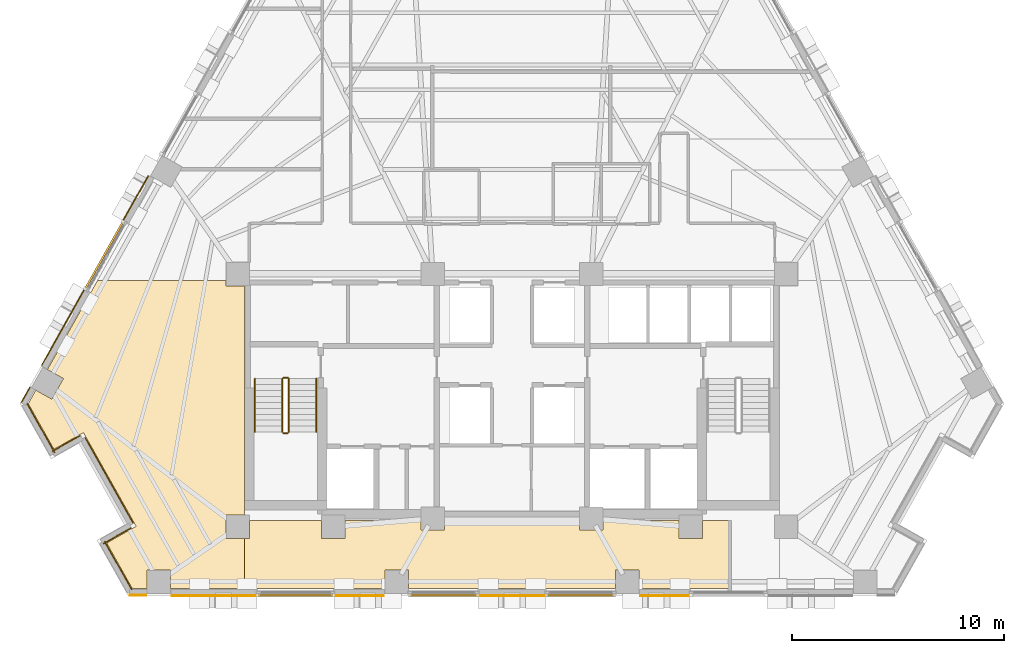
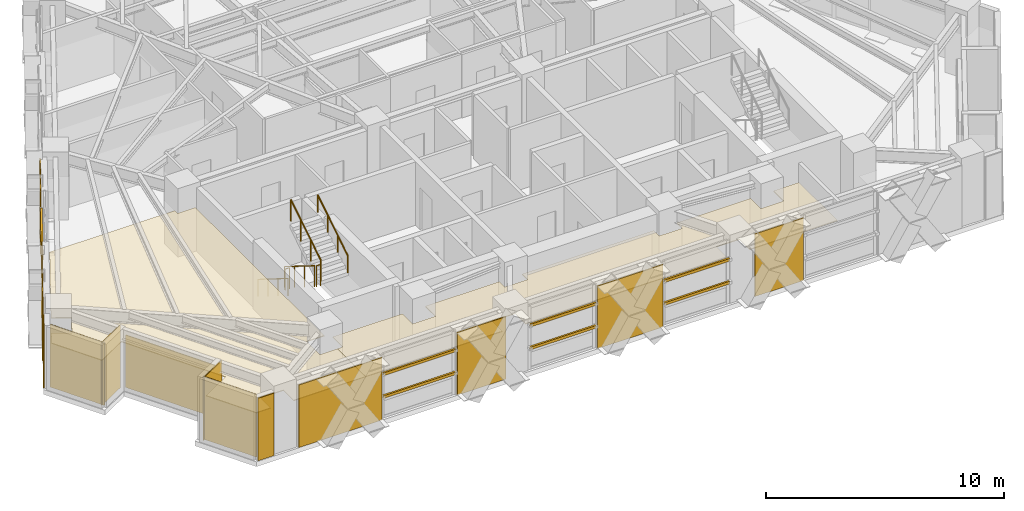
# One storey, part 11 of 14: 15 coverings, 8 shading devices, 6 railings.
"""IFC4 building model written with IfcOpenShell, lengths in metres."""

from ifc_helpers import new_model, si_unit, direction, frame, origin, origin_2d, place, context, subcontext, project, spatial, polyline, rectangle, circle, outline, extrude, material, layer, layer_set, material_profile, profile_set, type_object, element, save


model = new_model("IFC4")

# Units and contexts
model_context = context("Model", 3, precision=1e-05, world=origin(), true_north=direction((0.0, 1.0)))
body_context = subcontext(model_context, "Body", "Model", "MODEL_VIEW")
ifc_project = project(units=[si_unit("LENGTHUNIT", "METRE"), si_unit("AREAUNIT", "SQUARE_METRE"), si_unit("VOLUMEUNIT", "CUBIC_METRE"), si_unit("PLANEANGLEUNIT", "RADIAN"), si_unit("MASSUNIT", "GRAM", prefix="KILO")], contexts=[model_context])

# Site, building, storey
site_placement = place(None, origin())
site = spatial("IfcSite", under=ifc_project, at=site_placement, CompositionType="ELEMENT")
building_placement = place(site_placement, origin())
building = spatial("IfcBuilding", under=site, at=building_placement, Name="Quenlor Broadcast Tower", CompositionType="ELEMENT")
storey_placement = place(building_placement, frame((0.0, 0.0, 123.0)))
storey = spatial("IfcBuildingStorey", under=building, at=storey_placement, Name="L33", CompositionType="ELEMENT", Elevation=123.0)

# Coverings
ifc_material_1 = material(Name="Acoustic Gypsum Board", Category="other")
ifc_layer_1 = layer(ifc_material_1, 0.0400390625)
ifc_layer_set_1 = layer_set([ifc_layer_1], Name="Broadcast Studio Spring Isolated Ceiling 40")
covering_type_1 = type_object("IfcCoveringType", Name="Broadcast Studio Spring Isolated Ceiling 40", PredefinedType="CEILING", material=ifc_layer_set_1)
covering_1_placement = place(storey_placement, frame((0.0, 0.0, 2.2099609375)))
element("IfcCovering", 1, at=covering_1_placement, inside=storey, type_object=covering_type_1, Name="L33 Acoustic Ceiling L33-36-2", PredefinedType="CEILING", context=body_context, shape_type="SweptSolid", body=[
    extrude(outline(polyline([(-22.49853515625, -10.290771484375), (-21.741943359375, -10.71630859375), (-21.19482421875, -9.74365234375), (-21.951416015625, -9.318115234375), (-19.58984375, -5.1201171875), (-13.508056640625, -5.1201171875), (-13.508056640625, -5.35791015625), (-12.64990234375, -5.35791015625), (-12.64990234375, -16.19189453125), (-13.508056640625, -16.19189453125), (-13.508056640625, -17.30810546875), (-12.64990234375, -17.30810546875), (-12.64990234375, -19.659912109375), (-16.134521484375, -19.659912109375), (-16.134521484375, -18.7919921875), (-17.25048828125, -18.7919921875), (-17.25048828125, -19.659912109375), (-17.9453125, -19.659912109375), (-19.15380859375, -17.510986328125), (-17.759521484375, -16.7265625), (-20.25, -12.299072265625), (-21.64453125, -13.08349609375), (-22.85693359375, -10.927978515625), (-22.49853515625, -10.290771484375)])), origin(), (0.0, 0.0, 1.0), 0.0400390625),
])
covering_2_placement = place(storey_placement, frame((0.0, 0.0, 2.2099609375)))
element("IfcCovering", 2, at=covering_2_placement, inside=storey, type_object=covering_type_1, Name="L33 Acoustic Ceiling L33-36-3", PredefinedType="CEILING", context=body_context, shape_type="SweptSolid", body=[
    extrude(outline(polyline([(-12.39208984375, -17.30810546875), (-12.39208984375, -16.449951171875), (-9.008056640625, -16.449951171875), (-9.008056640625, -17.30810546875), (-7.89208984375, -17.30810546875), (-7.89208984375, -16.449951171875), (-4.30810546875, -16.449951171875), (-4.30810546875, -16.907958984375), (-3.19189453125, -16.907958984375), (-3.19189453125, -16.449951171875), (3.19189453125, -16.449951171875), (3.19189453125, -16.907958984375), (4.30810546875, -16.907958984375), (4.30810546875, -16.449951171875), (7.89208984375, -16.449951171875), (7.89208984375, -17.30810546875), (9.008056640625, -17.30810546875), (9.008056640625, -16.449951171875), (10.2548828125, -16.449951171875), (10.2548828125, -19.659912109375), (6.001220703125, -19.659912109375), (6.001220703125, -18.7919921875), (4.88525390625, -18.7919921875), (4.88525390625, -19.659912109375), (-4.88525390625, -19.659912109375), (-4.88525390625, -18.7919921875), (-6.001220703125, -18.7919921875), (-6.001220703125, -19.659912109375), (-12.64990234375, -19.659912109375), (-12.64990234375, -17.30810546875), (-12.39208984375, -17.30810546875)])), origin(), (0.0, 0.0, 1.0), 0.0400390625),
])

# Shading devices
ifc_material_2 = material(Name="Architectural Terracotta Ceramic", Category="masonry")
ifc_material_profile = material_profile(ifc_material_2, rectangle(XDim=0.090087890625, YDim=0.139892578125, at=origin_2d()))
ifc_profile_set = profile_set([ifc_material_profile], Name="Architectural Terracotta Ceramic BAG90x140")
shading_device_type = type_object("IfcShadingDeviceType", Name="Copper Terracotta Baguette Solar Screen 140", PredefinedType="USERDEFINED", material=ifc_profile_set)
for number, where, z_axis, x_axis, name in (
    (3, (-8.47119140625, -19.972900390625, 1.169921875), (-1.0, 0.0, 0.0), (0.0, -1.0, 0.0), "L33 Terracotta Baguette Screen 1"),
    (4, (-8.47119140625, -19.972900390625, 2.340087890625), (-1.0, 0.0, 0.0), (0.0, -1.0, 0.0), "L33 Terracotta Baguette Screen 2"),
):
    element("IfcShadingDevice", number, at=place(storey_placement, frame(where, z_axis=z_axis, x_axis=x_axis)), inside=storey, type_object=shading_device_type, Name=name, ObjectType="BAGUETTE", PredefinedType="USERDEFINED", context=body_context, shape_type="SweptSolid", body=[
        extrude(rectangle(XDim=0.090087890625, YDim=0.139892578125, at=origin_2d()), origin(), (0.0, 0.0, 1.0), 3.510498046875),
    ])
for number, where, z_axis, x_axis, name in (
    (5, (4.835693359375, -19.972900390625, 1.169921875), (-1.0, 0.0, 0.0), (0.0, -1.0, 0.0), "L33 Terracotta Baguette Screen 1"),
    (6, (4.835693359375, -19.972900390625, 2.340087890625), (-1.0, 0.0, 0.0), (0.0, -1.0, 0.0), "L33 Terracotta Baguette Screen 2"),
    (7, (-1.653564453125, -19.972900390625, 1.169921875), (-1.0, 0.0, 0.0), (0.0, -1.0, 0.0), "L33 Terracotta Baguette Screen 1"),
    (8, (-1.653564453125, -19.972900390625, 2.340087890625), (-1.0, 0.0, 0.0), (0.0, -1.0, 0.0), "L33 Terracotta Baguette Screen 2"),
):
    element("IfcShadingDevice", number, at=place(storey_placement, frame(where, z_axis=z_axis, x_axis=x_axis)), inside=storey, type_object=shading_device_type, Name=name, ObjectType="BAGUETTE", PredefinedType="USERDEFINED", context=body_context, shape_type="SweptSolid", body=[
        extrude(rectangle(XDim=0.090087890625, YDim=0.139892578125, at=origin_2d()), origin(), (0.0, 0.0, 1.0), 3.18212890625),
    ])
for number, where, z_axis, x_axis, name in (
    (9, (-20.156005859375, -5.48779296875, 1.169921875), (0.490344725936, 0.871528570815, 0.0), (-0.871528570815, 0.490344725936, 0.0), "L33 Terracotta Baguette Screen 1"),
    (10, (-20.156005859375, -5.48779296875, 2.340087890625), (0.490344725936, 0.871528570815, 0.0), (-0.871528570815, 0.490344725936, 0.0), "L33 Terracotta Baguette Screen 2"),
):
    element("IfcShadingDevice", number, at=place(storey_placement, frame(where, z_axis=z_axis, x_axis=x_axis)), inside=storey, type_object=shading_device_type, Name=name, ObjectType="BAGUETTE", PredefinedType="USERDEFINED", context=body_context, shape_type="SweptSolid", body=[
        extrude(rectangle(XDim=0.090087890625, YDim=0.139892578125, at=origin_2d()), origin(), (0.0, 0.0, 1.0), 3.60986328125),
    ])

# Coverings
ifc_material_3 = material(Name="Architectural Terracotta Ceramic", Category="masonry")
ifc_layer_2 = layer(ifc_material_3, 0.044921875)
ifc_layer_set_2 = layer_set([ifc_layer_2], Name="Fluted Terracotta Rainscreen Cladding Panel")
covering_type_2 = type_object("IfcCoveringType", Name="Fluted Terracotta Rainscreen Cladding Panel", PredefinedType="CLADDING", material=ifc_layer_set_2)
covering_3_placement = place(storey_placement, frame((0.0, 0.0, 0.02001953125)))
element("IfcCovering", 11, at=covering_3_placement, inside=storey, type_object=covering_type_2, Name="L33 Terracotta Rainscreen Cladding L33-SHD-SS1", PredefinedType="CLADDING", context=body_context, shape_type="SweptSolid", body=[
    extrude(outline(polyline([(-17.277587890625, -19.951904296875), (-18.053955078125, -19.951904296875), (-18.053955078125, -19.9970703125), (-17.277587890625, -19.9970703125), (-17.277587890625, -19.951904296875)])), origin(), (0.0, 0.0, 1.0), 3.2099609375),
])
covering_4_placement = place(storey_placement, frame((0.0, 0.0, 0.02001953125)))
element("IfcCovering", 12, at=covering_4_placement, inside=storey, type_object=covering_type_2, Name="L33 Terracotta Rainscreen Cladding L33-SA-SP2", PredefinedType="CLADDING", context=body_context, shape_type="SweptSolid", body=[
    extrude(outline(polyline([(8.403564453125, -19.971923828125), (6.048095703125, -19.971923828125), (6.048095703125, -20.01708984375), (8.403564453125, -20.01708984375), (8.403564453125, -19.971923828125)])), origin(), (0.0, 0.0, 1.0), 3.2099609375),
])
covering_5_placement = place(storey_placement, frame((0.0, 0.0, 0.02001953125)))
element("IfcCovering", 13, at=covering_5_placement, inside=storey, type_object=covering_type_2, Name="L33 Terracotta Rainscreen Cladding L33-SC-SP1", PredefinedType="CLADDING", context=body_context, shape_type="SweptSolid", body=[
    extrude(outline(polyline([(-6.048095703125, -19.971923828125), (-8.403564453125, -19.971923828125), (-8.403564453125, -20.01708984375), (-6.048095703125, -20.01708984375), (-6.048095703125, -19.971923828125)])), origin(), (0.0, 0.0, 1.0), 3.2099609375),
])
covering_6_placement = place(storey_placement, frame((0.0, 0.0, 0.02001953125)))
element("IfcCovering", 14, at=covering_6_placement, inside=storey, type_object=covering_type_2, Name="L33 Terracotta Rainscreen Cladding L33-SC-SP2", PredefinedType="CLADDING", context=body_context, shape_type="SweptSolid", body=[
    extrude(outline(polyline([(-12.04931640625, -19.971923828125), (-16.08740234375, -19.971923828125), (-16.08740234375, -20.01708984375), (-12.04931640625, -20.01708984375), (-12.04931640625, -19.971923828125)])), origin(), (0.0, 0.0, 1.0), 3.2099609375),
])
covering_7_placement = place(storey_placement, frame((0.0, 0.0, 0.02001953125)))
element("IfcCovering", 15, at=covering_7_placement, inside=storey, type_object=covering_type_2, Name="L33 Terracotta Rainscreen Cladding L33-S-SP1", PredefinedType="CLADDING", context=body_context, shape_type="SweptSolid", body=[
    extrude(outline(polyline([(1.5859375, -19.971923828125), (-1.5859375, -19.971923828125), (-1.5859375, -20.01708984375), (1.5859375, -20.01708984375), (1.5859375, -19.971923828125)])), origin(), (0.0, 0.0, 1.0), 3.2099609375),
])
covering_8_placement = place(storey_placement, frame((0.0, 0.0, 0.02001953125)))
element("IfcCovering", 16, at=covering_8_placement, inside=storey, type_object=covering_type_2, Name="L33 Terracotta Rainscreen Cladding L33-SHD-NWS0", PredefinedType="CLADDING", context=body_context, shape_type="SweptSolid", body=[
    extrude(outline(polyline([(-23.160888671875, -10.873046875), (-22.76611328125, -10.171142578125), (-22.805419921875, -10.149169921875), (-23.2001953125, -10.85107421875), (-23.160888671875, -10.873046875)])), origin(), (0.0, 0.0, 1.0), 3.2099609375),
])
covering_9_placement = place(storey_placement, frame((0.0, 0.0, 0.02001953125)))
element("IfcCovering", 17, at=covering_9_placement, inside=storey, type_object=covering_type_2, Name="L33 Terracotta Rainscreen Cladding L33-NWA-SP1", PredefinedType="CLADDING", context=body_context, shape_type="SweptSolid", body=[
    extrude(outline(polyline([(-22.2001953125, -9.1240234375), (-20.188232421875, -5.547119140625), (-20.227294921875, -5.525146484375), (-22.239501953125, -9.10205078125), (-22.2001953125, -9.1240234375)])), origin(), (0.0, 0.0, 1.0), 3.2099609375),
])
covering_10_placement = place(storey_placement, frame((0.0, 0.0, 0.02001953125)))
element("IfcCovering", 18, at=covering_10_placement, inside=storey, type_object=covering_type_2, Name="L33 Terracotta Rainscreen Cladding L33-NWA-SP2", PredefinedType="CLADDING", context=body_context, shape_type="SweptSolid", body=[
    extrude(outline(polyline([(-18.35205078125, -2.283203125), (-17.168701171875, -0.179443359375), (-17.2080078125, -0.157470703125), (-18.391357421875, -2.26123046875), (-18.35205078125, -2.283203125)])), origin(), (0.0, 0.0, 1.0), 3.2099609375),
])
covering_11_placement = place(storey_placement, frame((0.0, 0.0, 0.02001953125)))
element("IfcCovering", 19, at=covering_11_placement, inside=storey, type_object=covering_type_2, Name="L33 Terracotta Rainscreen Cladding L33-CNR-12", PredefinedType="CLADDING", context=body_context, shape_type="SweptSolid", body=[
    extrude(outline(polyline([(-22.931396484375, -10.93408203125), (-21.630126953125, -13.24755859375), (-21.591064453125, -13.2255859375), (-22.892333984375, -10.912109375), (-22.931396484375, -10.93408203125)])), origin(), (0.0, 0.0, 1.0), 3.2099609375),
])
covering_12_placement = place(storey_placement, frame((0.0, 0.0, 0.02001953125)))
element("IfcCovering", 20, at=covering_12_placement, inside=storey, type_object=covering_type_2, Name="L33 Terracotta Rainscreen Cladding L33-CNR-13", PredefinedType="CLADDING", context=body_context, shape_type="SweptSolid", body=[
    extrude(outline(polyline([(-21.70703125, -13.19677734375), (-20.399658203125, -12.461181640625), (-20.421630859375, -12.422119140625), (-21.72900390625, -13.157470703125), (-21.70703125, -13.19677734375)])), origin(), (0.0, 0.0, 1.0), 3.2099609375),
])
covering_13_placement = place(storey_placement, frame((0.0, 0.0, 0.02001953125)))
element("IfcCovering", 21, at=covering_13_placement, inside=storey, type_object=covering_type_2, Name="L33 Terracotta Rainscreen Cladding L33-CNR-14", PredefinedType="CLADDING", context=body_context, shape_type="SweptSolid", body=[
    extrude(outline(polyline([(-20.186767578125, -12.55029296875), (-17.921630859375, -16.576904296875), (-17.88232421875, -16.554931640625), (-20.1474609375, -12.5283203125), (-20.186767578125, -12.55029296875)])), origin(), (0.0, 0.0, 1.0), 2.681884765625),
])
covering_14_placement = place(storey_placement, frame((0.0, 0.0, 0.02001953125)))
element("IfcCovering", 22, at=covering_14_placement, inside=storey, type_object=covering_type_2, Name="L33 Terracotta Rainscreen Cladding L33-CNR-15", PredefinedType="CLADDING", context=body_context, shape_type="SweptSolid", body=[
    extrude(outline(polyline([(-18.010498046875, -16.789794921875), (-19.31787109375, -17.525390625), (-19.2958984375, -17.564697265625), (-17.988525390625, -16.8291015625), (-18.010498046875, -16.789794921875)])), origin(), (0.0, 0.0, 1.0), 3.2099609375),
])
covering_15_placement = place(storey_placement, frame((0.0, 0.0, 0.02001953125)))
element("IfcCovering", 23, at=covering_15_placement, inside=storey, type_object=covering_type_2, Name="L33 Terracotta Rainscreen Cladding L33-CNR-16", PredefinedType="CLADDING", context=body_context, shape_type="SweptSolid", body=[
    extrude(outline(polyline([(-19.26708984375, -17.448486328125), (-17.987060546875, -19.72412109375), (-17.947998046875, -19.7021484375), (-19.227783203125, -17.426513671875), (-19.26708984375, -17.448486328125)])), origin(), (0.0, 0.0, 1.0), 3.2099609375),
])

# Railings
ifc_material_4 = material(Name="Anodised Aluminium", Category="aluminium")
railing_type_1 = type_object("IfcRailingType", Name="Stainless Aluminium Wall Handrail 900", PredefinedType="HANDRAIL", material=ifc_material_4)
railing_1_placement = place(storey_placement, frame((-12.14990234375, -9.75, 0.175048828125)))
element("IfcRailing", 24, at=railing_1_placement, inside=storey, type_object=railing_type_1, Name="L33 ST-1 stair handrail 1", PredefinedType="HANDRAIL", context=body_context, shape_type="SweptSolid", body=[
    extrude(circle(Radius=0.02392578125, at=origin_2d()), frame((0.0, 0.0, 0.8759765625), z_axis=(0.0, -0.848007534815, 0.529984170421), x_axis=(1.0, 0.0, 0.0)), (0.0, 0.0, 1.0), 2.9716796875),
    extrude(circle(Radius=0.02099609375, at=origin_2d()), origin(), (0.0, 0.0, 1.0), 0.851806640625),
    extrude(circle(Radius=0.02099609375, at=origin_2d()), frame((0.0, -0.840087890625, 0.52490234375)), (0.0, 0.0, 1.0), 0.851806640625),
    extrude(circle(Radius=0.02099609375, at=origin_2d()), frame((0.0, -1.679931640625, 1.050048828125)), (0.0, 0.0, 1.0), 0.851806640625),
    extrude(circle(Radius=0.02099609375, at=origin_2d()), frame((0.0, -2.52001953125, 1.574951171875)), (0.0, 0.0, 1.0), 0.851806640625),
])
railing_2_placement = place(storey_placement, frame((-9.25, -12.27001953125, 1.925048828125)))
element("IfcRailing", 25, at=railing_2_placement, inside=storey, type_object=railing_type_1, Name="L33 ST-1 stair handrail 2", PredefinedType="HANDRAIL", context=body_context, shape_type="SweptSolid", body=[
    extrude(circle(Radius=0.02392578125, at=origin_2d()), frame((0.0, 0.0, 0.8759765625), z_axis=(0.0, 0.848007534815, 0.529984170421), x_axis=(-1.0, 0.0, 0.0)), (0.0, 0.0, 1.0), 2.9716796875),
    extrude(circle(Radius=0.02099609375, at=origin_2d()), origin(), (0.0, 0.0, 1.0), 0.851806640625),
    extrude(circle(Radius=0.02099609375, at=origin_2d()), frame((0.0, 0.840087890625, 0.52490234375)), (0.0, 0.0, 1.0), 0.851806640625),
    extrude(circle(Radius=0.02099609375, at=origin_2d()), frame((0.0, 1.679931640625, 1.050048828125)), (0.0, 0.0, 1.0), 0.851806640625),
    extrude(circle(Radius=0.02099609375, at=origin_2d()), frame((0.0, 2.52001953125, 1.574951171875)), (0.0, 0.0, 1.0), 0.851806640625),
])
ifc_material_5 = material(Name="Steel S355", Category="steel")
railing_type_2 = type_object("IfcRailingType", Name="Tubular Steel S355 Stair Guardrail 1100", PredefinedType="BALUSTRADE", material=ifc_material_5)
railing_3_placement = place(storey_placement, frame((-10.85009765625, -9.75, 0.175048828125)))
element("IfcRailing", 26, at=railing_3_placement, inside=storey, type_object=railing_type_2, Name="L33 ST-1 stair guard 1", PredefinedType="BALUSTRADE", context=body_context, shape_type="SweptSolid", body=[
    extrude(circle(Radius=0.02392578125, at=origin_2d()), frame((0.0, 0.0, 1.076171875), z_axis=(0.0, -0.848007534815, 0.529984170421), x_axis=(1.0, 0.0, 0.0)), (0.0, 0.0, 1.0), 2.9716796875),
    extrude(circle(Radius=0.02099609375, at=origin_2d()), origin(), (0.0, 0.0, 1.0), 1.052001953125),
    extrude(circle(Radius=0.02099609375, at=origin_2d()), frame((0.0, -0.840087890625, 0.52490234375)), (0.0, 0.0, 1.0), 1.052001953125),
    extrude(circle(Radius=0.02099609375, at=origin_2d()), frame((0.0, -1.679931640625, 1.050048828125)), (0.0, 0.0, 1.0), 1.052001953125),
    extrude(circle(Radius=0.02099609375, at=origin_2d()), frame((0.0, -2.52001953125, 1.574951171875)), (0.0, 0.0, 1.0), 1.052001953125),
])
railing_4_placement = place(storey_placement, frame((-10.800048828125, -12.320068359375, 1.75)))
element("IfcRailing", 27, at=railing_4_placement, inside=storey, type_object=railing_type_2, Name="L33 ST-1 stair guard 2", PredefinedType="BALUSTRADE", context=body_context, shape_type="SweptSolid", body=[
    extrude(circle(Radius=0.02392578125, at=origin_2d()), frame((0.0, 0.0, 1.076171875), z_axis=(1.0, 0.0, 0.0), x_axis=(0.0, 1.0, 0.0)), (0.0, 0.0, 1.0), 0.199951171875),
    extrude(circle(Radius=0.02099609375, at=origin_2d()), origin(), (0.0, 0.0, 1.0), 1.052001953125),
    extrude(circle(Radius=0.02099609375, at=origin_2d()), frame((0.199951171875, 0.0, 0.0)), (0.0, 0.0, 1.0), 1.052001953125),
])
railing_5_placement = place(storey_placement, frame((-10.550048828125, -12.27001953125, 1.925048828125)))
element("IfcRailing", 28, at=railing_5_placement, inside=storey, type_object=railing_type_2, Name="L33 ST-1 stair guard 3", PredefinedType="BALUSTRADE", context=body_context, shape_type="SweptSolid", body=[
    extrude(circle(Radius=0.02392578125, at=origin_2d()), frame((0.0, 0.0, 1.076171875), z_axis=(0.0, 0.848007534815, 0.529984170421), x_axis=(-1.0, 0.0, 0.0)), (0.0, 0.0, 1.0), 2.9716796875),
    extrude(circle(Radius=0.02099609375, at=origin_2d()), origin(), (0.0, 0.0, 1.0), 1.052001953125),
    extrude(circle(Radius=0.02099609375, at=origin_2d()), frame((0.0, 0.840087890625, 0.52490234375)), (0.0, 0.0, 1.0), 1.052001953125),
    extrude(circle(Radius=0.02099609375, at=origin_2d()), frame((0.0, 1.679931640625, 1.050048828125)), (0.0, 0.0, 1.0), 1.052001953125),
    extrude(circle(Radius=0.02099609375, at=origin_2d()), frame((0.0, 2.52001953125, 1.574951171875)), (0.0, 0.0, 1.0), 1.052001953125),
])
railing_6_placement = place(storey_placement, frame((-10.800048828125, -9.699951171875, 0.0)))
element("IfcRailing", 29, at=railing_6_placement, inside=storey, type_object=railing_type_2, Name="L33 ST-1 stair guard 4", PredefinedType="BALUSTRADE", context=body_context, shape_type="SweptSolid", body=[
    extrude(circle(Radius=0.02392578125, at=origin_2d()), frame((0.0, 0.0, 1.076171875), z_axis=(1.0, 0.0, 0.0), x_axis=(0.0, 1.0, 0.0)), (0.0, 0.0, 1.0), 0.199951171875),
    extrude(circle(Radius=0.02099609375, at=origin_2d()), origin(), (0.0, 0.0, 1.0), 1.052001953125),
    extrude(circle(Radius=0.02099609375, at=origin_2d()), frame((0.199951171875, 0.0, 0.0)), (0.0, 0.0, 1.0), 1.052001953125),
])

save(model, "model.ifc")
